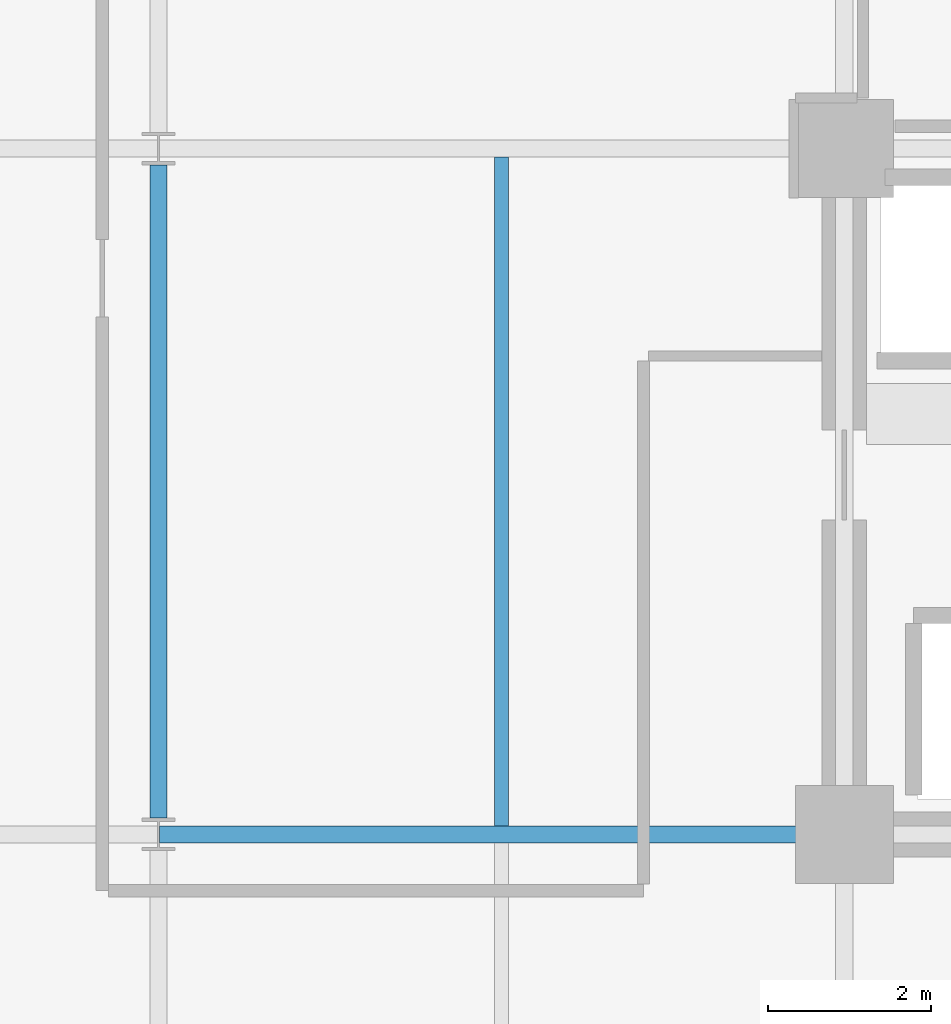
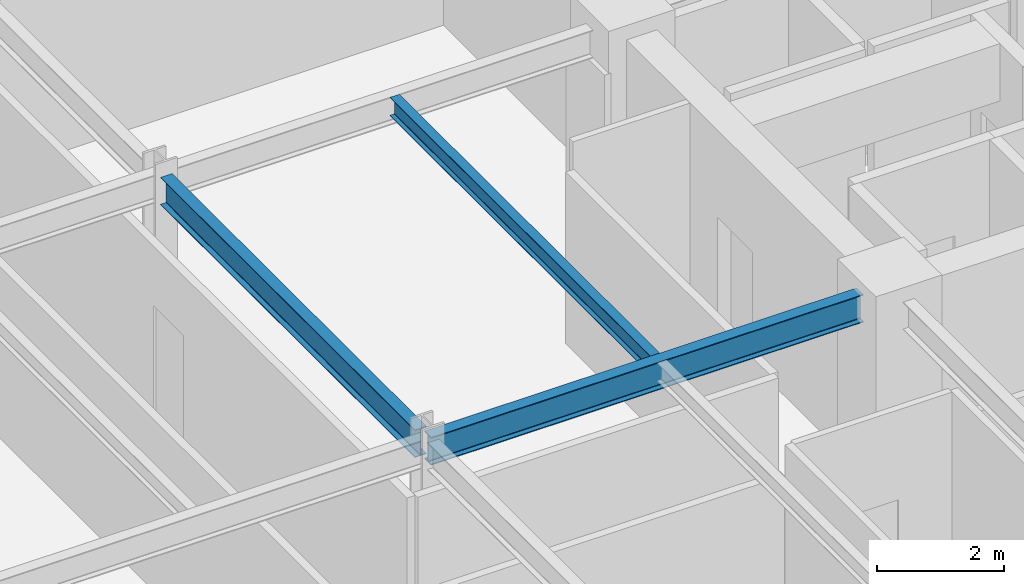
# One storey, part 7 of 38: 3 beams.
"""IFC4 building model written with IfcOpenShell, lengths in metres."""

from ifc_helpers import new_model, si_unit, direction, frame, origin, origin_2d, place, context, subcontext, project, spatial, i_section, extrude, material, material_profile, profile_set, type_object, element, save


model = new_model("IFC4")

# Units and contexts
model_context = context("Model", 3, precision=1e-05, world=origin(), true_north=direction((0.0, 1.0)))
body_context = subcontext(model_context, "Body", "Model", "MODEL_VIEW")
ifc_project = project(units=[si_unit("LENGTHUNIT", "METRE"), si_unit("AREAUNIT", "SQUARE_METRE"), si_unit("VOLUMEUNIT", "CUBIC_METRE"), si_unit("PLANEANGLEUNIT", "RADIAN"), si_unit("MASSUNIT", "GRAM", prefix="KILO")], contexts=[model_context])

# Site, building, storey
site_placement = place(None, origin())
site = spatial("IfcSite", under=ifc_project, at=site_placement, CompositionType="ELEMENT")
building_placement = place(site_placement, origin())
building = spatial("IfcBuilding", under=site, at=building_placement, Name="Nerrivon Quay Data Exchange", CompositionType="ELEMENT")
storey_placement = place(building_placement, frame((0.0, 0.0, 84.39990234375)))
storey = spatial("IfcBuildingStorey", under=building, at=storey_placement, Name="L19", CompositionType="ELEMENT", Elevation=84.39990234375)

# Beams
ifc_material = material(Name="Steel Grade 350", Category="steel")
ifc_material_profile_1 = material_profile(ifc_material, i_section(OverallWidth=0.208984375, OverallDepth=0.532958984375, WebThickness=0.01025390625, FlangeThickness=0.015625, FilletRadius=0.013916015625, at=origin_2d()), Name="530UB92.4")
ifc_profile_set_1 = profile_set([ifc_material_profile_1], Name="Steel Grade 350")
beam_type_1 = type_object("IfcBeamType", Name="BM-G3-530UB92", PredefinedType="BEAM", material=ifc_profile_set_1)
beam_1_placement = place(storey_placement, frame((8.41259765625, 8.39990234375, 3.55859375), z_axis=(1.0, 0.0, 0.0), x_axis=(0.0, 1.0, 0.0)))
element("IfcBeam", 1, at=beam_1_placement, inside=storey, type_object=beam_type_1, Name="L19 EW Girder Y=8.4 (8.4..16.8)", PredefinedType="BEAM", context=body_context, shape_type="SweptSolid", body=[
    extrude(i_section(OverallWidth=0.208984375, OverallDepth=0.532958984375, WebThickness=0.01025390625, FlangeThickness=0.015625, FilletRadius=0.013916015625, at=origin_2d()), origin(), (0.0, 0.0, 1.0), 7.847412109375),
])
ifc_material_profile_2 = material_profile(ifc_material, i_section(OverallWidth=0.208984375, OverallDepth=0.528076171875, WebThickness=0.009521484375, FlangeThickness=0.01318359375, FilletRadius=0.013916015625, at=origin_2d()), Name="530UB82.0")
ifc_profile_set_2 = profile_set([ifc_material_profile_2], Name="Steel Grade 350")
beam_type_2 = type_object("IfcBeamType", Name="BM-G4-530UB82", PredefinedType="BEAM", material=ifc_profile_set_2)
beam_2_placement = place(storey_placement, frame((8.39990234375, 8.60009765625, 3.56103515625), z_axis=(0.0, 1.0, 0.0), x_axis=(-1.0, 0.0, 0.0)))
element("IfcBeam", 2, at=beam_2_placement, inside=storey, type_object=beam_type_2, Name="L19 NS Girder X=8.4 (8.4..16.8)", PredefinedType="BEAM", context=body_context, shape_type="SweptSolid", body=[
    extrude(i_section(OverallWidth=0.208984375, OverallDepth=0.528076171875, WebThickness=0.009521484375, FlangeThickness=0.01318359375, FilletRadius=0.013916015625, at=origin_2d()), origin(), (0.0, 0.0, 1.0), 8.0),
])
ifc_material_profile_3 = material_profile(ifc_material, i_section(OverallWidth=0.1708984375, OverallDepth=0.35595703125, WebThickness=0.00732421875, FlangeThickness=0.011474609375, FilletRadius=0.011474609375, at=origin_2d()), Name="360UB50.7")
ifc_profile_set_3 = profile_set([ifc_material_profile_3], Name="Steel Grade 350")
beam_type_3 = type_object("IfcBeamType", Name="BM-J4-360UB51", PredefinedType="JOIST", material=ifc_profile_set_3)
beam_3_placement = place(storey_placement, frame((12.60009765625, 8.50439453125, 3.647216796875), z_axis=(0.0, 1.0, 0.0), x_axis=(-1.0, 0.0, 0.0)))
element("IfcBeam", 3, at=beam_3_placement, inside=storey, type_object=beam_type_3, Name="L19 Secondary Joist X=12.6 (8.4..16.8)", PredefinedType="JOIST", context=body_context, shape_type="SweptSolid", body=[
    extrude(i_section(OverallWidth=0.1708984375, OverallDepth=0.35595703125, WebThickness=0.00732421875, FlangeThickness=0.011474609375, FilletRadius=0.011474609375, at=origin_2d()), origin(), (0.0, 0.0, 1.0), 8.191162109375),
])

save(model, "model.ifc")
